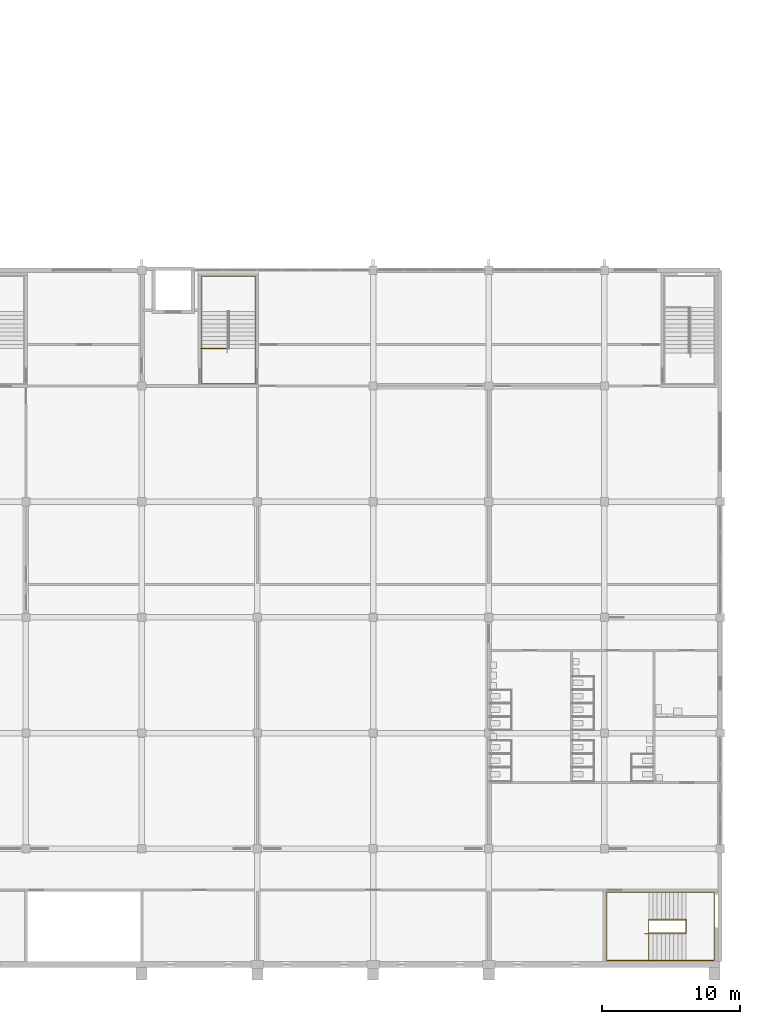
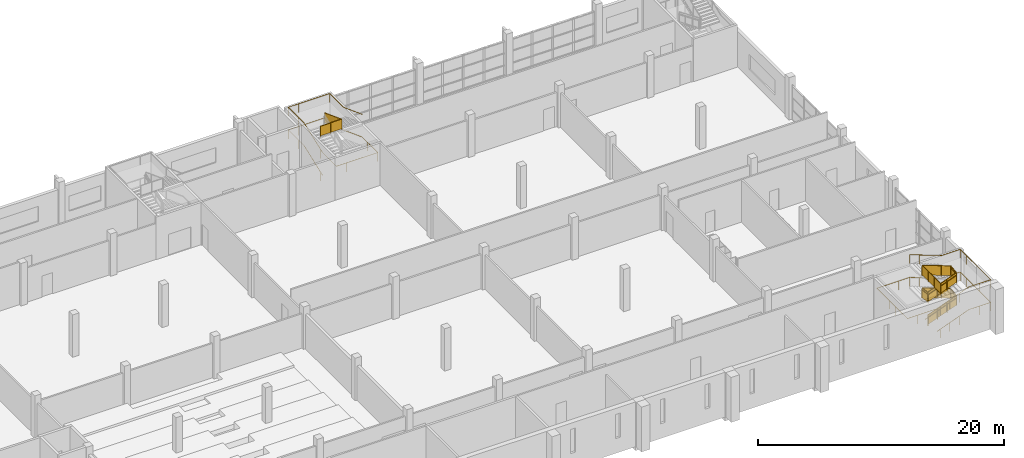
# One storey, part 50 of 56: 5 railings.
"""IFC4 building model written with IfcOpenShell, lengths in metres."""

from ifc_helpers import new_model, si_unit, direction, frame, origin, origin_2d, place, context, subcontext, project, spatial, polyline, circle, outline, extrude, material, type_object, element, save


model = new_model("IFC4")

# Units and contexts
model_context = context("Model", 3, precision=1e-05, world=origin(), true_north=direction((0.0, 1.0)))
body_context = subcontext(model_context, "Body", "Model", "MODEL_VIEW")
ifc_project = project(units=[si_unit("LENGTHUNIT", "METRE"), si_unit("AREAUNIT", "SQUARE_METRE"), si_unit("VOLUMEUNIT", "CUBIC_METRE"), si_unit("PLANEANGLEUNIT", "RADIAN"), si_unit("MASSUNIT", "GRAM", prefix="KILO")], contexts=[model_context])

# Site, building, storey
site_placement = place(None, origin())
site = spatial("IfcSite", under=ifc_project, at=site_placement, CompositionType="ELEMENT")
building_placement = place(site_placement, origin())
building = spatial("IfcBuilding", under=site, at=building_placement, Name="Rulbaag Community and Learning Centre", CompositionType="ELEMENT")
storey_placement = place(building_placement, frame((0.0, 0.0, 9.89990234375)))
storey = spatial("IfcBuildingStorey", under=building, at=storey_placement, Name="L02", CompositionType="ELEMENT", Elevation=9.89990234375)

# Railings
ifc_material_1 = material(Name="Galvanised mild steel", Category="steel")
railing_type_1 = type_object("IfcRailingType", Name="GR-1100 GUARD 1100", PredefinedType="GUARDRAIL", material=ifc_material_1)
railing_1_placement = place(storey_placement, frame((132.320068359375, 47.41259765625, 3.487548828125)))
element("IfcRailing", 1, at=railing_1_placement, inside=storey, type_object=railing_type_1, Name="Guard SH3 L02 G4", PredefinedType="GUARDRAIL", context=body_context, shape_type="SweptSolid", body=[
    extrude(circle(Radius=0.02490234375, at=origin_2d()), frame((0.0, 0.0, 1.0751953125), z_axis=(0.0, -0.936343093598, 0.351086329941), x_axis=(1.0, 0.0, 0.0)), (0.0, 0.0, 1.0), 2.8837890625),
    extrude(circle(Radius=0.02490234375, at=origin_2d()), frame((0.0, -2.7001953125, 2.08740234375), z_axis=(-1.0, 0.0, 0.0), x_axis=(0.0, -1.0, 0.0)), (0.0, 0.0, 1.0), 2.02001953125),
    extrude(circle(Radius=0.02001953125, at=origin_2d()), origin(), (0.0, 0.0, 1.0), 1.050048828125),
    extrude(circle(Radius=0.02001953125, at=origin_2d()), frame((0.0, -0.900146484375, 0.33740234375)), (0.0, 0.0, 1.0), 1.050048828125),
    extrude(circle(Radius=0.02001953125, at=origin_2d()), frame((0.0, -1.800048828125, 0.675048828125)), (0.0, 0.0, 1.0), 1.050048828125),
    extrude(circle(Radius=0.02001953125, at=origin_2d()), frame((0.0, -2.7001953125, 1.012451171875)), (0.0, 0.0, 1.0), 1.050048828125),
    extrude(circle(Radius=0.02001953125, at=origin_2d()), frame((-1.010009765625, -2.7001953125, 1.012451171875)), (0.0, 0.0, 1.0), 1.050048828125),
    extrude(circle(Radius=0.02001953125, at=origin_2d()), frame((-2.02001953125, -2.7001953125, 1.012451171875)), (0.0, 0.0, 1.0), 1.050048828125),
    extrude(outline(polyline([(0.0, 0.0), (2.7001953125, 1.012451171875), (2.7001953125, 1.96240234375), (0.0, 0.949951171875), (0.0, 0.0)])), frame((0.0048828125, 0.0, 0.10009765625), z_axis=(-1.0, 0.0, 0.0), x_axis=(0.0, -1.0, 0.0)), (0.0, 0.0, 1.0), 0.010009765625),
    extrude(outline(polyline([(0.0, 0.0), (2.02001953125, 0.0), (2.02001953125, 0.949951171875), (0.0, 0.949951171875), (0.0, 0.0)])), frame((0.0, -2.705078125, 1.112548828125), z_axis=(0.0, 1.0, 0.0), x_axis=(-1.0, 0.0, 0.0)), (0.0, 0.0, 1.0), 0.010009765625),
])
railing_2_placement = place(storey_placement, frame((162.824951171875, 2.304931640625, 0.112548828125)))
element("IfcRailing", 2, at=railing_2_placement, inside=storey, type_object=railing_type_1, Name="Guard SH10 L02 G", PredefinedType="GUARDRAIL", context=body_context, shape_type="SweptSolid", body=[
    extrude(circle(Radius=0.02490234375, at=origin_2d()), frame((0.0, 0.0, 1.0751953125), z_axis=(0.93633265699, 0.0, 0.351114162993), x_axis=(0.0, 1.0, 0.0)), (0.0, 0.0, 1.0), 2.883544921875),
    extrude(circle(Radius=0.02490234375, at=origin_2d()), frame((2.699951171875, 0.0, 2.08740234375), z_axis=(0.0, 0.992520392836, 0.122078949065), x_axis=(-1.0, 0.0, 0.0)), (0.0, 0.0, 1.0), 0.921875),
    extrude(circle(Radius=0.02490234375, at=origin_2d()), frame((2.699951171875, 0.9150390625, 2.2001953125), z_axis=(-0.93633265699, 0.0, 0.351114162993), x_axis=(0.0, -1.0, 0.0)), (0.0, 0.0, 1.0), 2.883544921875),
    extrude(circle(Radius=0.02490234375, at=origin_2d()), frame((0.0, 0.9150390625, 3.21240234375), z_axis=(0.0, -0.992520392836, 0.122078949065), x_axis=(1.0, 0.0, 0.0)), (0.0, 0.0, 1.0), 0.921875),
    extrude(circle(Radius=0.02490234375, at=origin_2d()), frame((0.0, 0.0, 3.3251953125), z_axis=(0.93633265699, 0.0, 0.351114162993), x_axis=(0.0, 1.0, 0.0)), (0.0, 0.0, 1.0), 2.883544921875),
    extrude(circle(Radius=0.02490234375, at=origin_2d()), frame((2.699951171875, 0.0, 4.33740234375), z_axis=(0.0, 0.992520392836, 0.122078949065), x_axis=(-1.0, 0.0, 0.0)), (0.0, 0.0, 1.0), 0.921875),
    extrude(circle(Radius=0.02490234375, at=origin_2d()), frame((2.699951171875, 0.9150390625, 4.4501953125), z_axis=(-0.93633265699, 0.0, 0.351114162993), x_axis=(0.0, -1.0, 0.0)), (0.0, 0.0, 1.0), 2.883544921875),
    extrude(circle(Radius=0.02490234375, at=origin_2d()), frame((0.0, 0.9150390625, 5.46240234375), z_axis=(0.0, -1.0, 0.0), x_axis=(1.0, 0.0, 0.0)), (0.0, 0.0, 1.0), 2.994873046875),
    extrude(circle(Radius=0.02001953125, at=origin_2d()), origin(), (0.0, 0.0, 1.0), 1.050048828125),
    extrude(circle(Radius=0.02001953125, at=origin_2d()), frame((0.89990234375, 0.0, 0.33740234375)), (0.0, 0.0, 1.0), 1.050048828125),
    extrude(circle(Radius=0.02001953125, at=origin_2d()), frame((1.800048828125, 0.0, 0.675048828125)), (0.0, 0.0, 1.0), 1.050048828125),
    extrude(circle(Radius=0.02001953125, at=origin_2d()), frame((2.699951171875, 0.0, 1.012451171875)), (0.0, 0.0, 1.0), 1.050048828125),
    extrude(circle(Radius=0.02001953125, at=origin_2d()), frame((2.699951171875, 0.9150390625, 1.125)), (0.0, 0.0, 1.0), 1.050048828125),
    extrude(circle(Radius=0.02001953125, at=origin_2d()), frame((1.800048828125, 0.9150390625, 1.46240234375)), (0.0, 0.0, 1.0), 1.050048828125),
    extrude(circle(Radius=0.02001953125, at=origin_2d()), frame((0.89990234375, 0.9150390625, 1.800048828125)), (0.0, 0.0, 1.0), 1.050048828125),
    extrude(circle(Radius=0.02001953125, at=origin_2d()), frame((0.0, 0.9150390625, 2.137451171875)), (0.0, 0.0, 1.0), 1.050048828125),
    extrude(circle(Radius=0.02001953125, at=origin_2d()), frame((0.0, 0.0, 2.25)), (0.0, 0.0, 1.0), 1.050048828125),
    extrude(circle(Radius=0.02001953125, at=origin_2d()), frame((0.89990234375, 0.0, 2.58740234375)), (0.0, 0.0, 1.0), 1.050048828125),
    extrude(circle(Radius=0.02001953125, at=origin_2d()), frame((1.800048828125, 0.0, 2.925048828125)), (0.0, 0.0, 1.0), 1.050048828125),
    extrude(circle(Radius=0.02001953125, at=origin_2d()), frame((2.699951171875, 0.0, 3.262451171875)), (0.0, 0.0, 1.0), 1.050048828125),
    extrude(circle(Radius=0.02001953125, at=origin_2d()), frame((2.699951171875, 0.9150390625, 3.375)), (0.0, 0.0, 1.0), 1.050048828125),
    extrude(circle(Radius=0.02001953125, at=origin_2d()), frame((1.800048828125, 0.9150390625, 3.71240234375)), (0.0, 0.0, 1.0), 1.050048828125),
    extrude(circle(Radius=0.02001953125, at=origin_2d()), frame((0.89990234375, 0.9150390625, 4.050048828125)), (0.0, 0.0, 1.0), 1.050048828125),
    extrude(circle(Radius=0.02001953125, at=origin_2d()), frame((0.0, 0.9150390625, 4.387451171875)), (0.0, 0.0, 1.0), 1.050048828125),
    extrude(circle(Radius=0.02001953125, at=origin_2d()), frame((0.0, -0.083251953125, 4.387451171875)), (0.0, 0.0, 1.0), 1.050048828125),
    extrude(circle(Radius=0.02001953125, at=origin_2d()), frame((0.0, -1.08154296875, 4.387451171875)), (0.0, 0.0, 1.0), 1.050048828125),
    extrude(circle(Radius=0.02001953125, at=origin_2d()), frame((0.0, -2.079833984375, 4.387451171875)), (0.0, 0.0, 1.0), 1.050048828125),
    extrude(outline(polyline([(0.0, 0.0), (2.699951171875, 1.012451171875), (2.699951171875, 1.96240234375), (0.0, 0.949951171875), (0.0, 0.0)])), frame((0.0, 0.0048828125, 0.10009765625), z_axis=(0.0, -1.0, 0.0), x_axis=(1.0, 0.0, 0.0)), (0.0, 0.0, 1.0), 0.010009765625),
    extrude(outline(polyline([(0.0, 0.0), (0.9150390625, 0.112548828125), (0.9150390625, 1.0625), (0.0, 0.949951171875), (0.0, 0.0)])), frame((2.69482421875, 0.0, 1.112548828125), z_axis=(1.0, 0.0, 0.0), x_axis=(0.0, 1.0, 0.0)), (0.0, 0.0, 1.0), 0.010009765625),
    extrude(outline(polyline([(0.0, 0.0), (2.699951171875, 1.012451171875), (2.699951171875, 1.96240234375), (0.0, 0.949951171875), (0.0, 0.0)])), frame((2.699951171875, 0.91015625, 1.22509765625), z_axis=(0.0, 1.0, 0.0), x_axis=(-1.0, 0.0, 0.0)), (0.0, 0.0, 1.0), 0.010009765625),
    extrude(outline(polyline([(0.0, 0.0), (0.9150390625, 0.112548828125), (0.9150390625, 1.0625), (0.0, 0.949951171875), (0.0, 0.0)])), frame((0.0048828125, 0.9150390625, 2.237548828125), z_axis=(-1.0, 0.0, 0.0), x_axis=(0.0, -1.0, 0.0)), (0.0, 0.0, 1.0), 0.010009765625),
    extrude(outline(polyline([(0.0, 0.0), (2.699951171875, 1.012451171875), (2.699951171875, 1.96240234375), (0.0, 0.949951171875), (0.0, 0.0)])), frame((0.0, 0.0048828125, 2.35009765625), z_axis=(0.0, -1.0, 0.0), x_axis=(1.0, 0.0, 0.0)), (0.0, 0.0, 1.0), 0.010009765625),
    extrude(outline(polyline([(0.0, 0.0), (0.9150390625, 0.112548828125), (0.9150390625, 1.0625), (0.0, 0.949951171875), (0.0, 0.0)])), frame((2.69482421875, 0.0, 3.362548828125), z_axis=(1.0, 0.0, 0.0), x_axis=(0.0, 1.0, 0.0)), (0.0, 0.0, 1.0), 0.010009765625),
    extrude(outline(polyline([(0.0, 0.0), (2.699951171875, 1.012451171875), (2.699951171875, 1.96240234375), (0.0, 0.949951171875), (0.0, 0.0)])), frame((2.699951171875, 0.91015625, 3.47509765625), z_axis=(0.0, 1.0, 0.0), x_axis=(-1.0, 0.0, 0.0)), (0.0, 0.0, 1.0), 0.010009765625),
    extrude(outline(polyline([(0.0, 0.0), (2.994873046875, 0.0), (2.994873046875, 0.949951171875), (0.0, 0.949951171875), (0.0, 0.0)])), frame((0.0048828125, 0.9150390625, 4.487548828125), z_axis=(-1.0, 0.0, 0.0), x_axis=(0.0, -1.0, 0.0)), (0.0, 0.0, 1.0), 0.010009765625),
])
ifc_material_2 = material(Name="Stainless steel grade 316", Category="steel")
railing_type_2 = type_object("IfcRailingType", Name="HR-900 HANDRAIL 900", PredefinedType="HANDRAIL", material=ifc_material_2)
railing_3_placement = place(storey_placement, frame((130.360107421875, 44.41259765625, 0.0)))
element("IfcRailing", 3, at=railing_3_placement, inside=storey, type_object=railing_type_2, Name="Handrail SH3 L02 O", PredefinedType="HANDRAIL", context=body_context, shape_type="SweptSolid", body=[
    extrude(circle(Radius=0.024169921875, at=origin_2d()), frame((0.0, 0.0, 0.875732421875), z_axis=(0.0, 0.936203795034, 0.351457613608), x_axis=(-1.0, 0.0, 0.0)), (0.0, 0.0, 1.0), 0.3203125),
    extrude(circle(Radius=0.024169921875, at=origin_2d()), frame((0.0, 0.2998046875, 0.98828125), z_axis=(0.0, 0.936343093598, 0.351086329941), x_axis=(-1.0, 0.0, 0.0)), (0.0, 0.0, 1.0), 2.8837890625),
    extrude(circle(Radius=0.024169921875, at=origin_2d()), frame((0.0, 3.0, 2.000732421875), z_axis=(0.0, 1.0, 0.0), x_axis=(-1.0, 0.0, 0.0)), (0.0, 0.0, 1.0), 2.552490234375),
    extrude(circle(Radius=0.024169921875, at=origin_2d()), frame((0.0, 5.552490234375, 2.000732421875), z_axis=(1.0, 0.0, 0.0), x_axis=(0.0, 1.0, 0.0)), (0.0, 0.0, 1.0), 3.8798828125),
    extrude(circle(Radius=0.024169921875, at=origin_2d()), frame((3.8798828125, 5.552490234375, 2.000732421875), z_axis=(0.0, -1.0, 0.0), x_axis=(1.0, 0.0, 0.0)), (0.0, 0.0, 1.0), 2.252685546875),
    extrude(circle(Radius=0.024169921875, at=origin_2d()), frame((3.8798828125, 3.2998046875, 2.000732421875), z_axis=(0.0, -0.936203795034, 0.351457613608), x_axis=(1.0, 0.0, 0.0)), (0.0, 0.0, 1.0), 0.3203125),
    extrude(circle(Radius=0.024169921875, at=origin_2d()), frame((3.8798828125, 3.0, 2.11328125), z_axis=(0.0, -0.936343093598, 0.351086329941), x_axis=(1.0, 0.0, 0.0)), (0.0, 0.0, 1.0), 2.8837890625),
    extrude(circle(Radius=0.024169921875, at=origin_2d()), frame((3.8798828125, 0.2998046875, 3.125732421875), z_axis=(0.0, -1.0, 0.0), x_axis=(1.0, 0.0, 0.0)), (0.0, 0.0, 1.0), 2.552490234375),
    extrude(circle(Radius=0.024169921875, at=origin_2d()), frame((3.8798828125, -2.252685546875, 3.125732421875), z_axis=(-1.0, 0.0, 0.0), x_axis=(0.0, -1.0, 0.0)), (0.0, 0.0, 1.0), 3.8798828125),
    extrude(circle(Radius=0.024169921875, at=origin_2d()), frame((0.0, -2.252685546875, 3.125732421875), z_axis=(0.0, 1.0, 0.0), x_axis=(-1.0, 0.0, 0.0)), (0.0, 0.0, 1.0), 2.252685546875),
    extrude(circle(Radius=0.024169921875, at=origin_2d()), frame((0.0, 0.0, 3.125732421875), z_axis=(0.0, 0.936203795034, 0.351457613608), x_axis=(-1.0, 0.0, 0.0)), (0.0, 0.0, 1.0), 0.3203125),
    extrude(circle(Radius=0.024169921875, at=origin_2d()), frame((0.0, 0.2998046875, 3.23828125), z_axis=(0.0, 0.936343093598, 0.351086329941), x_axis=(-1.0, 0.0, 0.0)), (0.0, 0.0, 1.0), 2.8837890625),
    extrude(circle(Radius=0.024169921875, at=origin_2d()), frame((0.0, 3.0, 4.250732421875), z_axis=(0.0, 1.0, 0.0), x_axis=(-1.0, 0.0, 0.0)), (0.0, 0.0, 1.0), 2.552490234375),
    extrude(circle(Radius=0.024169921875, at=origin_2d()), frame((0.0, 5.552490234375, 4.250732421875), z_axis=(1.0, 0.0, 0.0), x_axis=(0.0, 1.0, 0.0)), (0.0, 0.0, 1.0), 3.8798828125),
    extrude(circle(Radius=0.024169921875, at=origin_2d()), frame((3.8798828125, 5.552490234375, 4.250732421875), z_axis=(0.0, -1.0, 0.0), x_axis=(1.0, 0.0, 0.0)), (0.0, 0.0, 1.0), 2.252685546875),
    extrude(circle(Radius=0.024169921875, at=origin_2d()), frame((3.8798828125, 3.2998046875, 4.250732421875), z_axis=(0.0, -0.936203795034, 0.351457613608), x_axis=(1.0, 0.0, 0.0)), (0.0, 0.0, 1.0), 0.3203125),
    extrude(circle(Radius=0.024169921875, at=origin_2d()), frame((3.8798828125, 3.0, 4.36328125), z_axis=(0.0, -0.936343093598, 0.351086329941), x_axis=(1.0, 0.0, 0.0)), (0.0, 0.0, 1.0), 2.8837890625),
    extrude(circle(Radius=0.008056640625, at=origin_2d()), origin(), (0.0, 0.0, 1.0), 0.8515625),
    extrude(circle(Radius=0.008056640625, at=origin_2d()), frame((0.0, 0.2998046875, 0.112548828125)), (0.0, 0.0, 1.0), 0.8515625),
    extrude(circle(Radius=0.008056640625, at=origin_2d()), frame((0.0, 1.199951171875, 0.449951171875)), (0.0, 0.0, 1.0), 0.8515625),
    extrude(circle(Radius=0.008056640625, at=origin_2d()), frame((0.0, 2.099853515625, 0.78759765625)), (0.0, 0.0, 1.0), 0.8515625),
    extrude(circle(Radius=0.008056640625, at=origin_2d()), frame((0.0, 3.0, 1.125)), (0.0, 0.0, 1.0), 0.8515625),
    extrude(circle(Radius=0.008056640625, at=origin_2d()), frame((0.0, 3.850830078125, 1.125)), (0.0, 0.0, 1.0), 0.8515625),
    extrude(circle(Radius=0.008056640625, at=origin_2d()), frame((0.0, 4.70166015625, 1.125)), (0.0, 0.0, 1.0), 0.8515625),
    extrude(circle(Radius=0.008056640625, at=origin_2d()), frame((0.0, 5.552490234375, 1.125)), (0.0, 0.0, 1.0), 0.8515625),
    extrude(circle(Radius=0.008056640625, at=origin_2d()), frame((0.969970703125, 5.552490234375, 1.125)), (0.0, 0.0, 1.0), 0.8515625),
    extrude(circle(Radius=0.008056640625, at=origin_2d()), frame((1.93994140625, 5.552490234375, 1.125)), (0.0, 0.0, 1.0), 0.8515625),
    extrude(circle(Radius=0.008056640625, at=origin_2d()), frame((2.909912109375, 5.552490234375, 1.125)), (0.0, 0.0, 1.0), 0.8515625),
    extrude(circle(Radius=0.008056640625, at=origin_2d()), frame((3.8798828125, 5.552490234375, 1.125)), (0.0, 0.0, 1.0), 0.8515625),
    extrude(circle(Radius=0.008056640625, at=origin_2d()), frame((3.8798828125, 4.42626953125, 1.125)), (0.0, 0.0, 1.0), 0.8515625),
    extrude(circle(Radius=0.008056640625, at=origin_2d()), frame((3.8798828125, 3.2998046875, 1.125)), (0.0, 0.0, 1.0), 0.8515625),
    extrude(circle(Radius=0.008056640625, at=origin_2d()), frame((3.8798828125, 3.0, 1.237548828125)), (0.0, 0.0, 1.0), 0.8515625),
    extrude(circle(Radius=0.008056640625, at=origin_2d()), frame((3.8798828125, 2.099853515625, 1.574951171875)), (0.0, 0.0, 1.0), 0.8515625),
    extrude(circle(Radius=0.008056640625, at=origin_2d()), frame((3.8798828125, 1.199951171875, 1.91259765625)), (0.0, 0.0, 1.0), 0.8515625),
    extrude(circle(Radius=0.008056640625, at=origin_2d()), frame((3.8798828125, 0.2998046875, 2.25)), (0.0, 0.0, 1.0), 0.8515625),
    extrude(circle(Radius=0.008056640625, at=origin_2d()), frame((3.8798828125, -0.551025390625, 2.25)), (0.0, 0.0, 1.0), 0.8515625),
    extrude(circle(Radius=0.008056640625, at=origin_2d()), frame((3.8798828125, -1.40185546875, 2.25)), (0.0, 0.0, 1.0), 0.8515625),
    extrude(circle(Radius=0.008056640625, at=origin_2d()), frame((3.8798828125, -2.252685546875, 2.25)), (0.0, 0.0, 1.0), 0.8515625),
    extrude(circle(Radius=0.008056640625, at=origin_2d()), frame((2.909912109375, -2.252685546875, 2.25)), (0.0, 0.0, 1.0), 0.8515625),
    extrude(circle(Radius=0.008056640625, at=origin_2d()), frame((1.93994140625, -2.252685546875, 2.25)), (0.0, 0.0, 1.0), 0.8515625),
    extrude(circle(Radius=0.008056640625, at=origin_2d()), frame((0.969970703125, -2.252685546875, 2.25)), (0.0, 0.0, 1.0), 0.8515625),
    extrude(circle(Radius=0.008056640625, at=origin_2d()), frame((0.0, -2.252685546875, 2.25)), (0.0, 0.0, 1.0), 0.8515625),
    extrude(circle(Radius=0.008056640625, at=origin_2d()), frame((0.0, -1.12646484375, 2.25)), (0.0, 0.0, 1.0), 0.8515625),
    extrude(circle(Radius=0.008056640625, at=origin_2d()), frame((0.0, 0.0, 2.25)), (0.0, 0.0, 1.0), 0.8515625),
    extrude(circle(Radius=0.008056640625, at=origin_2d()), frame((0.0, 0.2998046875, 2.362548828125)), (0.0, 0.0, 1.0), 0.8515625),
    extrude(circle(Radius=0.008056640625, at=origin_2d()), frame((0.0, 1.199951171875, 2.699951171875)), (0.0, 0.0, 1.0), 0.8515625),
    extrude(circle(Radius=0.008056640625, at=origin_2d()), frame((0.0, 2.099853515625, 3.03759765625)), (0.0, 0.0, 1.0), 0.8515625),
    extrude(circle(Radius=0.008056640625, at=origin_2d()), frame((0.0, 3.0, 3.375)), (0.0, 0.0, 1.0), 0.8515625),
    extrude(circle(Radius=0.008056640625, at=origin_2d()), frame((0.0, 3.850830078125, 3.375)), (0.0, 0.0, 1.0), 0.8515625),
    extrude(circle(Radius=0.008056640625, at=origin_2d()), frame((0.0, 4.70166015625, 3.375)), (0.0, 0.0, 1.0), 0.8515625),
    extrude(circle(Radius=0.008056640625, at=origin_2d()), frame((0.0, 5.552490234375, 3.375)), (0.0, 0.0, 1.0), 0.8515625),
    extrude(circle(Radius=0.008056640625, at=origin_2d()), frame((0.969970703125, 5.552490234375, 3.375)), (0.0, 0.0, 1.0), 0.8515625),
    extrude(circle(Radius=0.008056640625, at=origin_2d()), frame((1.93994140625, 5.552490234375, 3.375)), (0.0, 0.0, 1.0), 0.8515625),
    extrude(circle(Radius=0.008056640625, at=origin_2d()), frame((2.909912109375, 5.552490234375, 3.375)), (0.0, 0.0, 1.0), 0.8515625),
    extrude(circle(Radius=0.008056640625, at=origin_2d()), frame((3.8798828125, 5.552490234375, 3.375)), (0.0, 0.0, 1.0), 0.8515625),
    extrude(circle(Radius=0.008056640625, at=origin_2d()), frame((3.8798828125, 4.42626953125, 3.375)), (0.0, 0.0, 1.0), 0.8515625),
    extrude(circle(Radius=0.008056640625, at=origin_2d()), frame((3.8798828125, 3.2998046875, 3.375)), (0.0, 0.0, 1.0), 0.8515625),
    extrude(circle(Radius=0.008056640625, at=origin_2d()), frame((3.8798828125, 3.0, 3.487548828125)), (0.0, 0.0, 1.0), 0.8515625),
    extrude(circle(Radius=0.008056640625, at=origin_2d()), frame((3.8798828125, 2.099853515625, 3.824951171875)), (0.0, 0.0, 1.0), 0.8515625),
    extrude(circle(Radius=0.008056640625, at=origin_2d()), frame((3.8798828125, 1.199951171875, 4.16259765625)), (0.0, 0.0, 1.0), 0.8515625),
    extrude(circle(Radius=0.008056640625, at=origin_2d()), frame((3.8798828125, 0.2998046875, 4.5)), (0.0, 0.0, 1.0), 0.8515625),
])
railing_4_placement = place(storey_placement, frame((162.52490234375, 0.284912109375, 0.0)))
element("IfcRailing", 4, at=railing_4_placement, inside=storey, type_object=railing_type_2, Name="Handrail SH10 L02 O", PredefinedType="HANDRAIL", context=body_context, shape_type="SweptSolid", body=[
    extrude(circle(Radius=0.024169921875, at=origin_2d()), frame((0.0, 0.0, 0.875732421875), z_axis=(0.936297865471, 0.0, 0.351206929196), x_axis=(0.0, 1.0, 0.0)), (0.0, 0.0, 1.0), 0.320556640625),
    extrude(circle(Radius=0.024169921875, at=origin_2d()), frame((0.300048828125, 0.0, 0.98828125), z_axis=(0.93633265699, 0.0, 0.351114162993), x_axis=(0.0, 1.0, 0.0)), (0.0, 0.0, 1.0), 2.883544921875),
    extrude(circle(Radius=0.024169921875, at=origin_2d()), frame((3.0, 0.0, 2.000732421875), z_axis=(1.0, 0.0, 0.0), x_axis=(0.0, 1.0, 0.0)), (0.0, 0.0, 1.0), 2.0400390625),
    extrude(circle(Radius=0.024169921875, at=origin_2d()), frame((5.0400390625, 0.0, 2.000732421875), z_axis=(0.0, 1.0, 0.0), x_axis=(-1.0, 0.0, 0.0)), (0.0, 0.0, 1.0), 4.955078125),
    extrude(circle(Radius=0.024169921875, at=origin_2d()), frame((5.0400390625, 4.955078125, 2.000732421875), z_axis=(-1.0, 0.0, 0.0), x_axis=(0.0, -1.0, 0.0)), (0.0, 0.0, 1.0), 1.739990234375),
    extrude(circle(Radius=0.024169921875, at=origin_2d()), frame((3.300048828125, 4.955078125, 2.000732421875), z_axis=(-0.936297865471, 0.0, 0.351206929196), x_axis=(0.0, -1.0, 0.0)), (0.0, 0.0, 1.0), 0.320556640625),
    extrude(circle(Radius=0.024169921875, at=origin_2d()), frame((3.0, 4.955078125, 2.11328125), z_axis=(-0.93633265699, 0.0, 0.351114162993), x_axis=(0.0, -1.0, 0.0)), (0.0, 0.0, 1.0), 2.883544921875),
    extrude(circle(Radius=0.024169921875, at=origin_2d()), frame((0.300048828125, 4.955078125, 3.125732421875), z_axis=(-1.0, 0.0, 0.0), x_axis=(0.0, -1.0, 0.0)), (0.0, 0.0, 1.0), 3.06494140625),
    extrude(circle(Radius=0.024169921875, at=origin_2d()), frame((-2.764892578125, 4.955078125, 3.125732421875), z_axis=(0.0, -1.0, 0.0), x_axis=(1.0, 0.0, 0.0)), (0.0, 0.0, 1.0), 4.955078125),
    extrude(circle(Radius=0.024169921875, at=origin_2d()), frame((-2.764892578125, 0.0, 3.125732421875), z_axis=(1.0, 0.0, 0.0), x_axis=(0.0, 1.0, 0.0)), (0.0, 0.0, 1.0), 2.764892578125),
    extrude(circle(Radius=0.024169921875, at=origin_2d()), frame((0.0, 0.0, 3.125732421875), z_axis=(0.936297865471, 0.0, 0.351206929196), x_axis=(0.0, 1.0, 0.0)), (0.0, 0.0, 1.0), 0.320556640625),
    extrude(circle(Radius=0.024169921875, at=origin_2d()), frame((0.300048828125, 0.0, 3.23828125), z_axis=(0.93633265699, 0.0, 0.351114162993), x_axis=(0.0, 1.0, 0.0)), (0.0, 0.0, 1.0), 2.883544921875),
    extrude(circle(Radius=0.024169921875, at=origin_2d()), frame((3.0, 0.0, 4.250732421875), z_axis=(1.0, 0.0, 0.0), x_axis=(0.0, 1.0, 0.0)), (0.0, 0.0, 1.0), 2.0400390625),
    extrude(circle(Radius=0.024169921875, at=origin_2d()), frame((5.0400390625, 0.0, 4.250732421875), z_axis=(0.0, 1.0, 0.0), x_axis=(-1.0, 0.0, 0.0)), (0.0, 0.0, 1.0), 4.955078125),
    extrude(circle(Radius=0.024169921875, at=origin_2d()), frame((5.0400390625, 4.955078125, 4.250732421875), z_axis=(-1.0, 0.0, 0.0), x_axis=(0.0, -1.0, 0.0)), (0.0, 0.0, 1.0), 1.739990234375),
    extrude(circle(Radius=0.024169921875, at=origin_2d()), frame((3.300048828125, 4.955078125, 4.250732421875), z_axis=(-0.936297865471, 0.0, 0.351206929196), x_axis=(0.0, -1.0, 0.0)), (0.0, 0.0, 1.0), 0.320556640625),
    extrude(circle(Radius=0.024169921875, at=origin_2d()), frame((3.0, 4.955078125, 4.36328125), z_axis=(-0.93633265699, 0.0, 0.351114162993), x_axis=(0.0, -1.0, 0.0)), (0.0, 0.0, 1.0), 2.883544921875),
    extrude(circle(Radius=0.008056640625, at=origin_2d()), origin(), (0.0, 0.0, 1.0), 0.8515625),
    extrude(circle(Radius=0.008056640625, at=origin_2d()), frame((0.300048828125, 0.0, 0.112548828125)), (0.0, 0.0, 1.0), 0.8515625),
    extrude(circle(Radius=0.008056640625, at=origin_2d()), frame((1.199951171875, 0.0, 0.449951171875)), (0.0, 0.0, 1.0), 0.8515625),
    extrude(circle(Radius=0.008056640625, at=origin_2d()), frame((2.10009765625, 0.0, 0.78759765625)), (0.0, 0.0, 1.0), 0.8515625),
    extrude(circle(Radius=0.008056640625, at=origin_2d()), frame((3.0, 0.0, 1.125)), (0.0, 0.0, 1.0), 0.8515625),
    extrude(circle(Radius=0.008056640625, at=origin_2d()), frame((4.02001953125, 0.0, 1.125)), (0.0, 0.0, 1.0), 0.8515625),
    extrude(circle(Radius=0.008056640625, at=origin_2d()), frame((5.0400390625, 0.0, 1.125)), (0.0, 0.0, 1.0), 0.8515625),
    extrude(circle(Radius=0.008056640625, at=origin_2d()), frame((5.0400390625, 0.990966796875, 1.125)), (0.0, 0.0, 1.0), 0.8515625),
    extrude(circle(Radius=0.008056640625, at=origin_2d()), frame((5.0400390625, 1.98193359375, 1.125)), (0.0, 0.0, 1.0), 0.8515625),
    extrude(circle(Radius=0.008056640625, at=origin_2d()), frame((5.0400390625, 2.97314453125, 1.125)), (0.0, 0.0, 1.0), 0.8515625),
    extrude(circle(Radius=0.008056640625, at=origin_2d()), frame((5.0400390625, 3.964111328125, 1.125)), (0.0, 0.0, 1.0), 0.8515625),
    extrude(circle(Radius=0.008056640625, at=origin_2d()), frame((5.0400390625, 4.955078125, 1.125)), (0.0, 0.0, 1.0), 0.8515625),
    extrude(circle(Radius=0.008056640625, at=origin_2d()), frame((4.169921875, 4.955078125, 1.125)), (0.0, 0.0, 1.0), 0.8515625),
    extrude(circle(Radius=0.008056640625, at=origin_2d()), frame((3.300048828125, 4.955078125, 1.125)), (0.0, 0.0, 1.0), 0.8515625),
    extrude(circle(Radius=0.008056640625, at=origin_2d()), frame((3.0, 4.955078125, 1.237548828125)), (0.0, 0.0, 1.0), 0.8515625),
    extrude(circle(Radius=0.008056640625, at=origin_2d()), frame((2.10009765625, 4.955078125, 1.574951171875)), (0.0, 0.0, 1.0), 0.8515625),
    extrude(circle(Radius=0.008056640625, at=origin_2d()), frame((1.199951171875, 4.955078125, 1.91259765625)), (0.0, 0.0, 1.0), 0.8515625),
    extrude(circle(Radius=0.008056640625, at=origin_2d()), frame((0.300048828125, 4.955078125, 2.25)), (0.0, 0.0, 1.0), 0.8515625),
    extrude(circle(Radius=0.008056640625, at=origin_2d()), frame((-0.7216796875, 4.955078125, 2.25)), (0.0, 0.0, 1.0), 0.8515625),
    extrude(circle(Radius=0.008056640625, at=origin_2d()), frame((-1.7431640625, 4.955078125, 2.25)), (0.0, 0.0, 1.0), 0.8515625),
    extrude(circle(Radius=0.008056640625, at=origin_2d()), frame((-2.764892578125, 4.955078125, 2.25)), (0.0, 0.0, 1.0), 0.8515625),
    extrude(circle(Radius=0.008056640625, at=origin_2d()), frame((-2.764892578125, 3.964111328125, 2.25)), (0.0, 0.0, 1.0), 0.8515625),
    extrude(circle(Radius=0.008056640625, at=origin_2d()), frame((-2.764892578125, 2.97314453125, 2.25)), (0.0, 0.0, 1.0), 0.8515625),
    extrude(circle(Radius=0.008056640625, at=origin_2d()), frame((-2.764892578125, 1.98193359375, 2.25)), (0.0, 0.0, 1.0), 0.8515625),
    extrude(circle(Radius=0.008056640625, at=origin_2d()), frame((-2.764892578125, 0.990966796875, 2.25)), (0.0, 0.0, 1.0), 0.8515625),
    extrude(circle(Radius=0.008056640625, at=origin_2d()), frame((-2.764892578125, 0.0, 2.25)), (0.0, 0.0, 1.0), 0.8515625),
    extrude(circle(Radius=0.008056640625, at=origin_2d()), frame((-1.84326171875, 0.0, 2.25)), (0.0, 0.0, 1.0), 0.8515625),
    extrude(circle(Radius=0.008056640625, at=origin_2d()), frame((-0.921630859375, 0.0, 2.25)), (0.0, 0.0, 1.0), 0.8515625),
    extrude(circle(Radius=0.008056640625, at=origin_2d()), frame((0.0, 0.0, 2.25)), (0.0, 0.0, 1.0), 0.8515625),
    extrude(circle(Radius=0.008056640625, at=origin_2d()), frame((0.300048828125, 0.0, 2.362548828125)), (0.0, 0.0, 1.0), 0.8515625),
    extrude(circle(Radius=0.008056640625, at=origin_2d()), frame((1.199951171875, 0.0, 2.699951171875)), (0.0, 0.0, 1.0), 0.8515625),
    extrude(circle(Radius=0.008056640625, at=origin_2d()), frame((2.10009765625, 0.0, 3.03759765625)), (0.0, 0.0, 1.0), 0.8515625),
    extrude(circle(Radius=0.008056640625, at=origin_2d()), frame((3.0, 0.0, 3.375)), (0.0, 0.0, 1.0), 0.8515625),
    extrude(circle(Radius=0.008056640625, at=origin_2d()), frame((4.02001953125, 0.0, 3.375)), (0.0, 0.0, 1.0), 0.8515625),
    extrude(circle(Radius=0.008056640625, at=origin_2d()), frame((5.0400390625, 0.0, 3.375)), (0.0, 0.0, 1.0), 0.8515625),
    extrude(circle(Radius=0.008056640625, at=origin_2d()), frame((5.0400390625, 0.990966796875, 3.375)), (0.0, 0.0, 1.0), 0.8515625),
    extrude(circle(Radius=0.008056640625, at=origin_2d()), frame((5.0400390625, 1.98193359375, 3.375)), (0.0, 0.0, 1.0), 0.8515625),
    extrude(circle(Radius=0.008056640625, at=origin_2d()), frame((5.0400390625, 2.97314453125, 3.375)), (0.0, 0.0, 1.0), 0.8515625),
    extrude(circle(Radius=0.008056640625, at=origin_2d()), frame((5.0400390625, 3.964111328125, 3.375)), (0.0, 0.0, 1.0), 0.8515625),
    extrude(circle(Radius=0.008056640625, at=origin_2d()), frame((5.0400390625, 4.955078125, 3.375)), (0.0, 0.0, 1.0), 0.8515625),
    extrude(circle(Radius=0.008056640625, at=origin_2d()), frame((4.169921875, 4.955078125, 3.375)), (0.0, 0.0, 1.0), 0.8515625),
    extrude(circle(Radius=0.008056640625, at=origin_2d()), frame((3.300048828125, 4.955078125, 3.375)), (0.0, 0.0, 1.0), 0.8515625),
    extrude(circle(Radius=0.008056640625, at=origin_2d()), frame((3.0, 4.955078125, 3.487548828125)), (0.0, 0.0, 1.0), 0.8515625),
    extrude(circle(Radius=0.008056640625, at=origin_2d()), frame((2.10009765625, 4.955078125, 3.824951171875)), (0.0, 0.0, 1.0), 0.8515625),
    extrude(circle(Radius=0.008056640625, at=origin_2d()), frame((1.199951171875, 4.955078125, 4.16259765625)), (0.0, 0.0, 1.0), 0.8515625),
    extrude(circle(Radius=0.008056640625, at=origin_2d()), frame((0.300048828125, 4.955078125, 4.5)), (0.0, 0.0, 1.0), 0.8515625),
])
railing_5_placement = place(storey_placement, frame((162.52490234375, 2.235107421875, 0.0)))
element("IfcRailing", 5, at=railing_5_placement, inside=storey, type_object=railing_type_2, Name="Handrail SH10 L02 I", PredefinedType="HANDRAIL", context=body_context, shape_type="SweptSolid", body=[
    extrude(circle(Radius=0.024169921875, at=origin_2d()), frame((0.0, 0.0, 0.875732421875), z_axis=(0.936297865471, 0.0, 0.351206929196), x_axis=(0.0, 1.0, 0.0)), (0.0, 0.0, 1.0), 0.320556640625),
    extrude(circle(Radius=0.024169921875, at=origin_2d()), frame((0.300048828125, 0.0, 0.98828125), z_axis=(0.93633265699, 0.0, 0.351114162993), x_axis=(0.0, 1.0, 0.0)), (0.0, 0.0, 1.0), 2.883544921875),
    extrude(circle(Radius=0.024169921875, at=origin_2d()), frame((3.0, 0.0, 2.000732421875), z_axis=(0.0, 0.994356935106, 0.106086217793), x_axis=(-1.0, 0.0, 0.0)), (0.0, 0.0, 1.0), 1.06103515625),
    extrude(circle(Radius=0.024169921875, at=origin_2d()), frame((3.0, 1.054931640625, 2.11328125), z_axis=(-0.93633265699, 0.0, 0.351114162993), x_axis=(0.0, -1.0, 0.0)), (0.0, 0.0, 1.0), 2.883544921875),
    extrude(circle(Radius=0.024169921875, at=origin_2d()), frame((0.300048828125, 1.054931640625, 3.125732421875), z_axis=(0.0, -0.994356935106, 0.106086217793), x_axis=(1.0, 0.0, 0.0)), (0.0, 0.0, 1.0), 1.06103515625),
    extrude(circle(Radius=0.024169921875, at=origin_2d()), frame((0.300048828125, 0.0, 3.23828125), z_axis=(0.93633265699, 0.0, 0.351114162993), x_axis=(0.0, 1.0, 0.0)), (0.0, 0.0, 1.0), 2.883544921875),
    extrude(circle(Radius=0.024169921875, at=origin_2d()), frame((3.0, 0.0, 4.250732421875), z_axis=(0.0, 0.994356935106, 0.106086217793), x_axis=(-1.0, 0.0, 0.0)), (0.0, 0.0, 1.0), 1.06103515625),
    extrude(circle(Radius=0.024169921875, at=origin_2d()), frame((3.0, 1.054931640625, 4.36328125), z_axis=(-0.93633265699, 0.0, 0.351114162993), x_axis=(0.0, -1.0, 0.0)), (0.0, 0.0, 1.0), 2.883544921875),
    extrude(circle(Radius=0.008056640625, at=origin_2d()), origin(), (0.0, 0.0, 1.0), 0.8515625),
    extrude(circle(Radius=0.008056640625, at=origin_2d()), frame((0.300048828125, 0.0, 0.112548828125)), (0.0, 0.0, 1.0), 0.8515625),
    extrude(circle(Radius=0.008056640625, at=origin_2d()), frame((1.199951171875, 0.0, 0.449951171875)), (0.0, 0.0, 1.0), 0.8515625),
    extrude(circle(Radius=0.008056640625, at=origin_2d()), frame((2.10009765625, 0.0, 0.78759765625)), (0.0, 0.0, 1.0), 0.8515625),
    extrude(circle(Radius=0.008056640625, at=origin_2d()), frame((3.0, 0.0, 1.125)), (0.0, 0.0, 1.0), 0.8515625),
    extrude(circle(Radius=0.008056640625, at=origin_2d()), frame((3.0, 1.054931640625, 1.237548828125)), (0.0, 0.0, 1.0), 0.8515625),
    extrude(circle(Radius=0.008056640625, at=origin_2d()), frame((2.10009765625, 1.054931640625, 1.574951171875)), (0.0, 0.0, 1.0), 0.8515625),
    extrude(circle(Radius=0.008056640625, at=origin_2d()), frame((1.199951171875, 1.054931640625, 1.91259765625)), (0.0, 0.0, 1.0), 0.8515625),
    extrude(circle(Radius=0.008056640625, at=origin_2d()), frame((0.300048828125, 1.054931640625, 2.25)), (0.0, 0.0, 1.0), 0.8515625),
    extrude(circle(Radius=0.008056640625, at=origin_2d()), frame((0.300048828125, 0.0, 2.362548828125)), (0.0, 0.0, 1.0), 0.8515625),
    extrude(circle(Radius=0.008056640625, at=origin_2d()), frame((1.199951171875, 0.0, 2.699951171875)), (0.0, 0.0, 1.0), 0.8515625),
    extrude(circle(Radius=0.008056640625, at=origin_2d()), frame((2.10009765625, 0.0, 3.03759765625)), (0.0, 0.0, 1.0), 0.8515625),
    extrude(circle(Radius=0.008056640625, at=origin_2d()), frame((3.0, 0.0, 3.375)), (0.0, 0.0, 1.0), 0.8515625),
    extrude(circle(Radius=0.008056640625, at=origin_2d()), frame((3.0, 1.054931640625, 3.487548828125)), (0.0, 0.0, 1.0), 0.8515625),
    extrude(circle(Radius=0.008056640625, at=origin_2d()), frame((2.10009765625, 1.054931640625, 3.824951171875)), (0.0, 0.0, 1.0), 0.8515625),
    extrude(circle(Radius=0.008056640625, at=origin_2d()), frame((1.199951171875, 1.054931640625, 4.16259765625)), (0.0, 0.0, 1.0), 0.8515625),
    extrude(circle(Radius=0.008056640625, at=origin_2d()), frame((0.300048828125, 1.054931640625, 4.5)), (0.0, 0.0, 1.0), 0.8515625),
])

save(model, "model.ifc")
